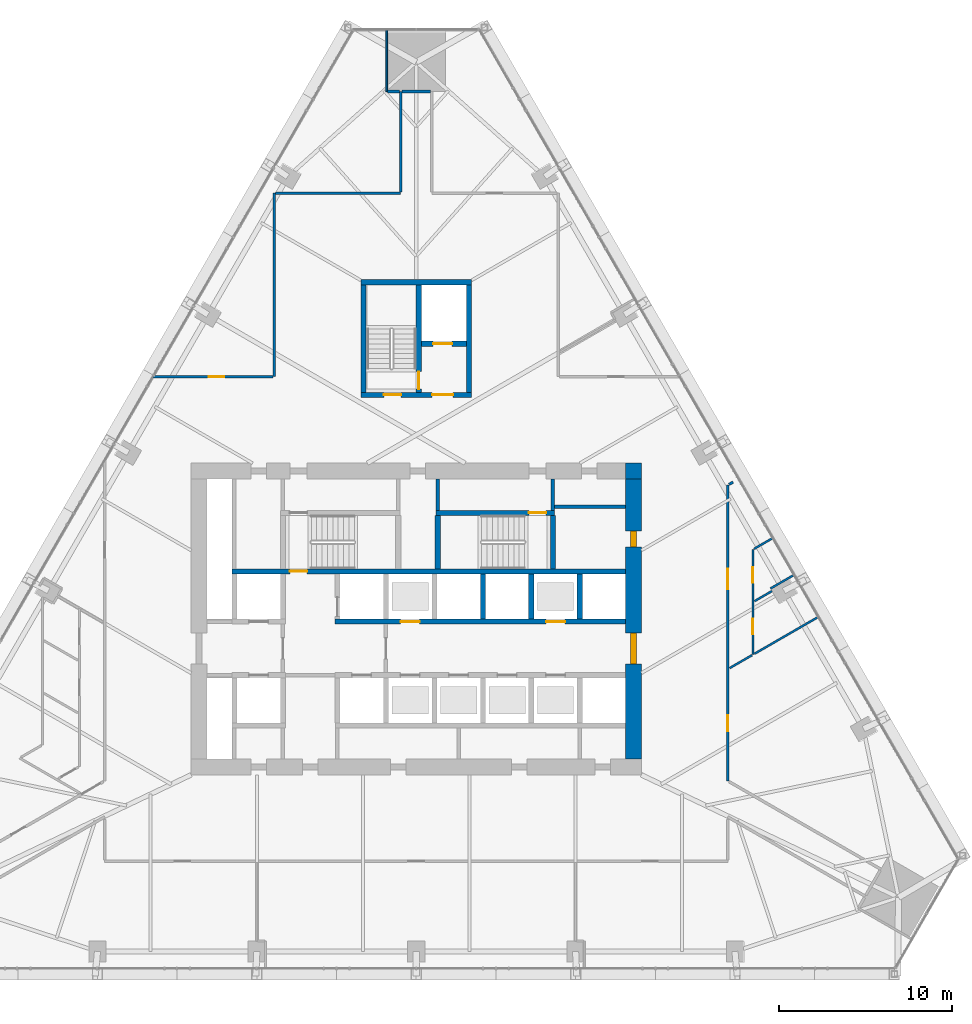
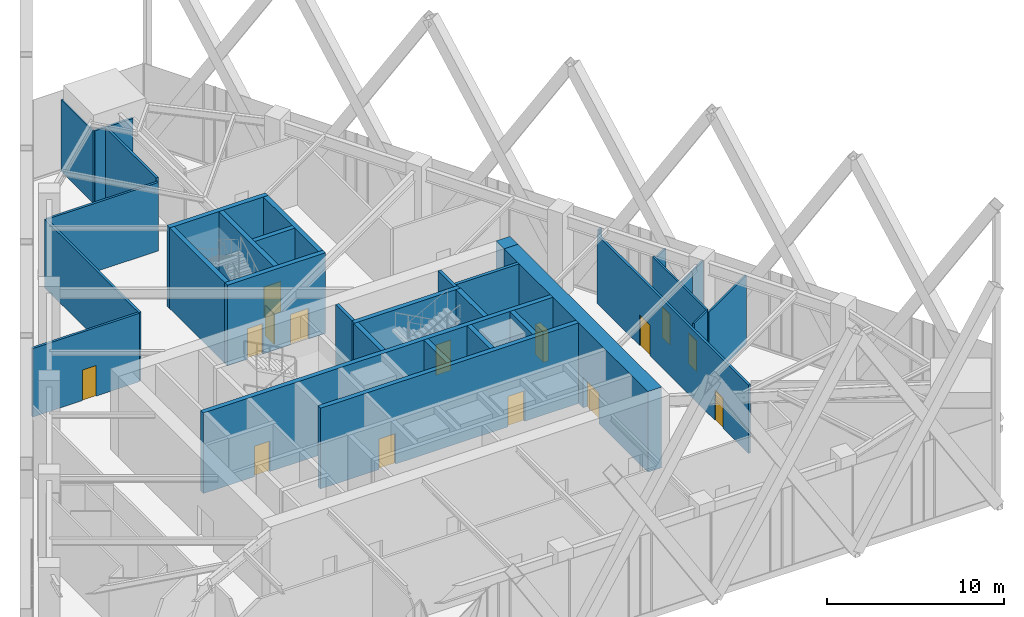
# One storey, part 17 of 21: 34 walls, 15 doors, 15 openings.
"""IFC4 building model written with IfcOpenShell, lengths in metres."""

from ifc_helpers import new_model, si_unit, direction, frame, frame_2d, origin, place, context, subcontext, project, spatial, rectangle, extrude, material, layer, layer_set, type_object, element, fill, save


model = new_model("IFC4")

# Units and contexts
model_context = context("Model", 3, precision=1e-05, world=origin(), true_north=direction((0.0, 1.0)))
body_context = subcontext(model_context, "Body", "Model", "MODEL_VIEW")
ifc_project = project(units=[si_unit("LENGTHUNIT", "METRE"), si_unit("AREAUNIT", "SQUARE_METRE"), si_unit("VOLUMEUNIT", "CUBIC_METRE"), si_unit("PLANEANGLEUNIT", "RADIAN"), si_unit("MASSUNIT", "GRAM", prefix="KILO")], contexts=[model_context])

# Site, building, storey
site_placement = place(None, origin())
site = spatial("IfcSite", under=ifc_project, at=site_placement, CompositionType="ELEMENT")
building_placement = place(site_placement, origin())
building = spatial("IfcBuilding", under=site, at=building_placement, Name="Firuza Gate Tower and Library", CompositionType="ELEMENT")
storey_placement = place(building_placement, frame((0.0, 0.0, 140.800048828125)))
storey = spatial("IfcBuildingStorey", under=building, at=storey_placement, Name="L32", CompositionType="ELEMENT", Elevation=140.800048828125)

# Walls
ifc_material_1 = material(Name="Plasterboard on steel studs", Category="steel")
ifc_layer_1 = layer(ifc_material_1, 0.199951171875)
ifc_layer_set_1 = layer_set([ifc_layer_1], Name="Core partition 200 EI 120")
wall_type_1 = type_object("IfcWallType", Name="Core partition 200 EI 120", PredefinedType="PARTITIONING", material=ifc_layer_set_1)
wall_1_placement = place(storey_placement, frame((83.0, 81.4951171875, 0.0), z_axis=(0.0, 0.0, 1.0), x_axis=(1.0, 0.0, 0.0)))
element("IfcWall", 1, at=wall_1_placement, inside=storey, type_object=wall_type_1, Name="Core partition L32 4", PredefinedType="PARTITIONING", context=body_context, shape_type="SweptSolid", body=[
    extrude(rectangle(XDim=4.10009765625, YDim=0.199951171875, at=frame_2d((2.050048828125, 0.0))), origin(), (0.0, 0.0, 1.0), 5.550048828125),
])
wall_2_placement = place(storey_placement, frame((82.89990234375, 81.280029296875, 0.0), z_axis=(0.0, 0.0, 1.0), x_axis=(0.0, 1.0, 0.0)))
element("IfcWall", 2, at=wall_2_placement, inside=storey, type_object=wall_type_1, Name="Core partition L32 15", PredefinedType="PARTITIONING", context=body_context, shape_type="SweptSolid", body=[
    extrude(rectangle(XDim=1.820068359375, YDim=0.199951171875, at=frame_2d((0.91015625, 0.0))), origin(), (0.0, 0.0, 1.0), 5.550048828125),
])
ifc_material_2 = material(Name="Plasterboard on steel studs", Category="steel")
ifc_layer_2 = layer(ifc_material_2, 0.199951171875)
ifc_layer_set_2 = layer_set([ifc_layer_2], Name="Core partition 200 EI 60")
wall_type_2 = type_object("IfcWallType", Name="Core partition 200 EI 60", PredefinedType="PARTITIONING", material=ifc_layer_set_2)
wall_3_placement = place(storey_placement, frame((76.239990234375, 81.280029296875, 0.0), z_axis=(0.0, 0.0, 1.0), x_axis=(0.0, 1.0, 0.0)))
element("IfcWall", 3, at=wall_3_placement, inside=storey, type_object=wall_type_2, Name="Core partition L32 13", PredefinedType="PARTITIONING", context=body_context, shape_type="SweptSolid", body=[
    extrude(rectangle(XDim=1.820068359375, YDim=0.199951171875, at=frame_2d((0.91015625, 0.0))), origin(), (0.0, 0.0, 1.0), 5.550048828125),
])

# Wall, openings, doors
ifc_material_3 = material(Name="Concrete C80/95", Category="concrete")
ifc_layer_3 = layer(ifc_material_3, 0.300048828125)
ifc_layer_set_3 = layer_set([ifc_layer_3], Name="Core wall 300 C80/95")
wall_type_3 = type_object("IfcWallType", Name="Core wall 300 C80/95", PredefinedType="SHEAR", material=ifc_layer_set_3)
wall_4_placement = place(storey_placement, frame((70.300048828125, 74.85009765625, 0.0), z_axis=(0.0, 0.0, 1.0), x_axis=(1.0, 0.0, 0.0)))
wall_4 = element("IfcWall", 4, at=wall_4_placement, inside=storey, type_object=wall_type_3, Name="Core wall L32 10", PredefinedType="SHEAR", context=body_context, shape_type="SweptSolid", body=[
    extrude(rectangle(XDim=16.800048828125, YDim=0.300048828125, at=frame_2d((8.39990234375, 0.0))), origin(), (0.0, 0.0, 1.0), 5.550048828125),
])
opening_1_placement = place(wall_4_placement, frame((3.800048828125, 0.0, 0.0)))
opening_1 = element("IfcOpeningElement", 5, at=opening_1_placement, cuts=wall_4, Name="Opening LD-MR4-L32", PredefinedType="OPENING", context=body_context, shape_type="SweptSolid", body=[
    extrude(rectangle(XDim=1.10009765625, YDim=2.10009765625, at=frame_2d((0.550048828125, 1.050048828125))), frame((0.0, 0.16015625, 0.0), z_axis=(0.0, -1.0, 0.0), x_axis=(1.0, 0.0, 0.0)), (0.0, 0.0, 1.0), 0.320068359375),
])
opening_2_placement = place(wall_4_placement, frame((12.199951171875, 0.0, 0.0)))
opening_2 = element("IfcOpeningElement", 6, at=opening_2_placement, cuts=wall_4, Name="Opening LD-MR6-L32", PredefinedType="OPENING", context=body_context, shape_type="SweptSolid", body=[
    extrude(rectangle(XDim=1.10009765625, YDim=2.10009765625, at=frame_2d((0.550048828125, 1.050048828125))), frame((0.0, 0.16015625, 0.0), z_axis=(0.0, -1.0, 0.0), x_axis=(1.0, 0.0, 0.0)), (0.0, 0.0, 1.0), 0.320068359375),
])
ifc_material_4 = material(Name="Stainless steel", Category="steel")
door_type_1 = type_object("IfcDoorType", Name="Lift landing door 1100x2100", OperationType="DOUBLE_DOOR_SLIDING", PredefinedType="DOOR", material=ifc_material_4)
door_1_placement = place(opening_1_placement, origin())
door_1 = element("IfcDoor", 7, at=door_1_placement, inside=storey, type_object=door_type_1, Name="Landing door MR4 L32", OperationType="DOUBLE_DOOR_SLIDING", OverallHeight=2.10009765625, OverallWidth=1.10009765625, PredefinedType="DOOR", context=body_context, shape_type="SweptSolid", body=[
    extrude(rectangle(XDim=1.10009765625, YDim=2.10009765625, at=frame_2d((0.550048828125, 1.050048828125))), frame((0.0, 0.02490234375, 0.0), z_axis=(0.0, -1.0, 0.0), x_axis=(1.0, 0.0, 0.0)), (0.0, 0.0, 1.0), 0.050048828125),
])
fill(opening_1, door_1)
door_2_placement = place(opening_2_placement, origin())
door_2 = element("IfcDoor", 8, at=door_2_placement, inside=storey, type_object=door_type_1, Name="Landing door MR6 L32", OperationType="DOUBLE_DOOR_SLIDING", OverallHeight=2.10009765625, OverallWidth=1.10009765625, PredefinedType="DOOR", context=body_context, shape_type="SweptSolid", body=[
    extrude(rectangle(XDim=1.10009765625, YDim=2.10009765625, at=frame_2d((0.550048828125, 1.050048828125))), frame((0.0, 0.02490234375, 0.0), z_axis=(0.0, -1.0, 0.0), x_axis=(1.0, 0.0, 0.0)), (0.0, 0.0, 1.0), 0.050048828125),
])
fill(opening_2, door_2)

# Walls
for number, where, z_axis, x_axis, name in (
    (9, (78.85009765625, 75.0, 0.0), (0.0, 0.0, 1.0), (0.0, 1.0, 0.0), "Core wall L32 22"),
    (10, (81.64990234375, 75.0, 0.0), (0.0, 0.0, 1.0), (0.0, 1.0, 0.0), "Core wall L32 24"),
    (11, (84.449951171875, 75.0, 0.0), (0.0, 0.0, 1.0), (0.0, 1.0, 0.0), "Core wall L32 26"),
):
    element("IfcWall", number, at=place(storey_placement, frame(where, z_axis=z_axis, x_axis=x_axis)), inside=storey, type_object=wall_type_3, Name=name, PredefinedType="SHEAR", context=body_context, shape_type="SweptSolid", body=[
        extrude(rectangle(XDim=2.60009765625, YDim=0.300048828125, at=frame_2d((1.300048828125, 0.0))), origin(), (0.0, 0.0, 1.0), 5.550048828125),
    ])

# Wall, opening, door
wall_5_placement = place(storey_placement, frame((64.35009765625, 77.75, 0.0), z_axis=(0.0, 0.0, 1.0), x_axis=(1.0, 0.0, 0.0)))
wall_5 = element("IfcWall", 12, at=wall_5_placement, inside=storey, type_object=wall_type_3, Name="Core wall L32 27", PredefinedType="SHEAR", context=body_context, shape_type="SweptSolid", body=[
    extrude(rectangle(XDim=22.75, YDim=0.300048828125, at=frame_2d((11.375, 0.0))), origin(), (0.0, 0.0, 1.0), 5.550048828125),
])
opening_3_placement = place(wall_5_placement, frame((3.344970703125, 0.0, 0.0)))
opening_3 = element("IfcOpeningElement", 13, at=opening_3_placement, cuts=wall_5, Name="Opening L32-K12", PredefinedType="OPENING", context=body_context, shape_type="SweptSolid", body=[
    extrude(rectangle(XDim=1.0, YDim=2.10009765625, at=frame_2d((0.5, 1.050048828125))), frame((0.0, 0.16015625, 0.0), z_axis=(0.0, -1.0, 0.0), x_axis=(1.0, 0.0, 0.0)), (0.0, 0.0, 1.0), 0.320068359375),
])
ifc_material_5 = material(Name="Steel", Category="steel")
door_type_2 = type_object("IfcDoorType", Name="Fire door 1000x2100 FD90", OperationType="NOTDEFINED", PredefinedType="DOOR", material=ifc_material_5)
door_3_placement = place(opening_3_placement, origin())
door_3 = element("IfcDoor", 14, at=door_3_placement, inside=storey, type_object=door_type_2, Name="Door L32-K12", OperationType="SINGLE_SWING_LEFT", OverallHeight=2.10009765625, OverallWidth=1.0, PredefinedType="DOOR", context=body_context, shape_type="SweptSolid", body=[
    extrude(rectangle(XDim=1.0, YDim=2.10009765625, at=frame_2d((0.5, 1.050048828125))), frame((0.0, 0.02490234375, 0.0), z_axis=(0.0, -1.0, 0.0), x_axis=(1.0, 0.0, 0.0)), (0.0, 0.0, 1.0), 0.050048828125),
])
fill(opening_3, door_3)

wall_6_placement = place(storey_placement, frame((76.139892578125, 81.1298828125, 0.0), z_axis=(0.0, 0.0, 1.0), x_axis=(1.0, 0.0, 0.0)))
wall_6 = element("IfcWall", 15, at=wall_6_placement, inside=storey, type_object=wall_type_3, Name="Core wall L32 29", PredefinedType="SHEAR", context=body_context, shape_type="SweptSolid", body=[
    extrude(rectangle(XDim=6.860107421875, YDim=0.300048828125, at=frame_2d((3.43017578125, 0.0))), origin(), (0.0, 0.0, 1.0), 5.550048828125),
])
opening_4_placement = place(wall_6_placement, frame((5.364990234375, 0.0, 0.0)))
opening_4 = element("IfcOpeningElement", 16, at=opening_4_placement, cuts=wall_6, Name="Opening L32-K15", PredefinedType="OPENING", context=body_context, shape_type="SweptSolid", body=[
    extrude(rectangle(XDim=1.0, YDim=2.10009765625, at=frame_2d((0.5, 1.050048828125))), frame((0.0, 0.16015625, 0.0), z_axis=(0.0, -1.0, 0.0), x_axis=(1.0, 0.0, 0.0)), (0.0, 0.0, 1.0), 0.320068359375),
])
door_4_placement = place(opening_4_placement, origin())
door_4 = element("IfcDoor", 17, at=door_4_placement, inside=storey, type_object=door_type_2, Name="Door L32-K15", OperationType="SINGLE_SWING_RIGHT", OverallHeight=2.10009765625, OverallWidth=1.0, PredefinedType="DOOR", context=body_context, shape_type="SweptSolid", body=[
    extrude(rectangle(XDim=1.0, YDim=2.10009765625, at=frame_2d((0.5, 1.050048828125))), frame((0.0, 0.02490234375, 0.0), z_axis=(0.0, -1.0, 0.0), x_axis=(1.0, 0.0, 0.0)), (0.0, 0.0, 1.0), 0.050048828125),
])
fill(opening_4, door_4)

# Walls
for number, where, z_axis, x_axis, name in (
    (18, (76.239990234375, 77.89990234375, 0.0), (0.0, 0.0, 1.0), (0.0, 1.0, 0.0), "Core wall L32 32"),
    (19, (82.89990234375, 77.89990234375, 0.0), (0.0, 0.0, 1.0), (0.0, 1.0, 0.0), "Core wall L32 33"),
):
    element("IfcWall", number, at=place(storey_placement, frame(where, z_axis=z_axis, x_axis=x_axis)), inside=storey, type_object=wall_type_3, Name=name, PredefinedType="SHEAR", context=body_context, shape_type="SweptSolid", body=[
        extrude(rectangle(XDim=3.080078125, YDim=0.300048828125, at=frame_2d((1.5400390625, 0.0))), origin(), (0.0, 0.0, 1.0), 5.550048828125),
    ])

# Wall, openings, doors
wall_7_placement = place(storey_placement, frame((71.800048828125, 87.949951171875, 0.0), z_axis=(0.0, 0.0, 1.0), x_axis=(1.0, 0.0, 0.0)))
wall_7 = element("IfcWall", 20, at=wall_7_placement, inside=storey, type_object=wall_type_3, Name="Core wall L32 34", PredefinedType="SHEAR", context=body_context, shape_type="SweptSolid", body=[
    extrude(rectangle(XDim=6.39990234375, YDim=0.300048828125, at=frame_2d((3.199951171875, 0.0))), origin(), (0.0, 0.0, 1.0), 5.550048828125),
])
opening_5_placement = place(wall_7_placement, frame((1.324951171875, 0.0, 0.0)))
opening_5 = element("IfcOpeningElement", 21, at=opening_5_placement, cuts=wall_7, Name="Opening L32-K17", PredefinedType="OPENING", context=body_context, shape_type="SweptSolid", body=[
    extrude(rectangle(XDim=1.0, YDim=2.10009765625, at=frame_2d((0.5, 1.050048828125))), frame((0.0, 0.16015625, 0.0), z_axis=(0.0, -1.0, 0.0), x_axis=(1.0, 0.0, 0.0)), (0.0, 0.0, 1.0), 0.320068359375),
])
opening_6_placement = place(wall_7_placement, frame((4.125, 0.0, 0.0)))
opening_6 = element("IfcOpeningElement", 22, at=opening_6_placement, cuts=wall_7, Name="Opening L32-K19", PredefinedType="OPENING", context=body_context, shape_type="SweptSolid", body=[
    extrude(rectangle(XDim=1.199951171875, YDim=2.10009765625, at=frame_2d((0.60009765625, 1.050048828125))), frame((0.0, 0.16015625, 0.0), z_axis=(0.0, -1.0, 0.0), x_axis=(1.0, 0.0, 0.0)), (0.0, 0.0, 1.0), 0.320068359375),
])
door_5_placement = place(opening_5_placement, origin())
door_5 = element("IfcDoor", 23, at=door_5_placement, inside=storey, type_object=door_type_2, Name="Door L32-K17", OperationType="SINGLE_SWING_RIGHT", OverallHeight=2.10009765625, OverallWidth=1.0, PredefinedType="DOOR", context=body_context, shape_type="SweptSolid", body=[
    extrude(rectangle(XDim=1.0, YDim=2.10009765625, at=frame_2d((0.5, 1.050048828125))), frame((0.0, 0.02490234375, 0.0), z_axis=(0.0, -1.0, 0.0), x_axis=(1.0, 0.0, 0.0)), (0.0, 0.0, 1.0), 0.050048828125),
])
fill(opening_5, door_5)
ifc_material_6 = material(Name="Steel", Category="steel")
door_type_3 = type_object("IfcDoorType", Name="Fire door 1200x2100 FD30S", OperationType="NOTDEFINED", PredefinedType="DOOR", material=ifc_material_6)
door_6_placement = place(opening_6_placement, origin())
door_6 = element("IfcDoor", 24, at=door_6_placement, inside=storey, type_object=door_type_3, Name="Door L32-K19", OperationType="SINGLE_SWING_RIGHT", OverallHeight=2.10009765625, OverallWidth=1.199951171875, PredefinedType="DOOR", context=body_context, shape_type="SweptSolid", body=[
    extrude(rectangle(XDim=1.199951171875, YDim=2.10009765625, at=frame_2d((0.60009765625, 1.050048828125))), frame((0.0, 0.02490234375, 0.0), z_axis=(0.0, -1.0, 0.0), x_axis=(1.0, 0.0, 0.0)), (0.0, 0.0, 1.0), 0.050048828125),
])
fill(opening_6, door_6)

# Walls
wall_8_placement = place(storey_placement, frame((71.800048828125, 94.449951171875, 0.0), z_axis=(0.0, 0.0, 1.0), x_axis=(1.0, 0.0, 0.0)))
element("IfcWall", 25, at=wall_8_placement, inside=storey, type_object=wall_type_3, Name="Core wall L32 35", PredefinedType="SHEAR", context=body_context, shape_type="SweptSolid", body=[
    extrude(rectangle(XDim=6.39990234375, YDim=0.300048828125, at=frame_2d((3.199951171875, 0.0))), origin(), (0.0, 0.0, 1.0), 5.550048828125),
])
for number, where, z_axis, x_axis, name in (
    (26, (71.949951171875, 88.10009765625, 0.0), (0.0, 0.0, 1.0), (0.0, 1.0, 0.0), "Core wall L32 36"),
    (27, (78.050048828125, 88.10009765625, 0.0), (0.0, 0.0, 1.0), (0.0, 1.0, 0.0), "Core wall L32 37"),
):
    element("IfcWall", number, at=place(storey_placement, frame(where, z_axis=z_axis, x_axis=x_axis)), inside=storey, type_object=wall_type_3, Name=name, PredefinedType="SHEAR", context=body_context, shape_type="SweptSolid", body=[
        extrude(rectangle(XDim=6.199951171875, YDim=0.300048828125, at=frame_2d((3.10009765625, 0.0))), origin(), (0.0, 0.0, 1.0), 5.550048828125),
    ])

# Wall, opening, door
wall_9_placement = place(storey_placement, frame((75.300048828125, 90.89990234375, 0.0), z_axis=(0.0, 0.0, 1.0), x_axis=(1.0, 0.0, 0.0)))
wall_9 = element("IfcWall", 28, at=wall_9_placement, inside=storey, type_object=wall_type_3, Name="Core wall L32 38", PredefinedType="SHEAR", context=body_context, shape_type="SweptSolid", body=[
    extrude(rectangle(XDim=2.599853515625, YDim=0.300048828125, at=frame_2d((1.2998046875, 0.0))), origin(), (0.0, 0.0, 1.0), 5.550048828125),
])
opening_7_placement = place(wall_9_placement, frame((0.675048828125, 0.0, 0.0)))
opening_7 = element("IfcOpeningElement", 29, at=opening_7_placement, cuts=wall_9, Name="Opening LD-SV1-L32", PredefinedType="OPENING", context=body_context, shape_type="SweptSolid", body=[
    extrude(rectangle(XDim=1.10009765625, YDim=2.10009765625, at=frame_2d((0.550048828125, 1.050048828125))), frame((0.0, 0.16015625, 0.0), z_axis=(0.0, -1.0, 0.0), x_axis=(1.0, 0.0, 0.0)), (0.0, 0.0, 1.0), 0.320068359375),
])
door_7_placement = place(opening_7_placement, origin())
door_7 = element("IfcDoor", 30, at=door_7_placement, inside=storey, type_object=door_type_1, Name="Landing door SV1 L32", OperationType="DOUBLE_DOOR_SLIDING", OverallHeight=2.10009765625, OverallWidth=1.10009765625, PredefinedType="DOOR", context=body_context, shape_type="SweptSolid", body=[
    extrude(rectangle(XDim=1.10009765625, YDim=2.10009765625, at=frame_2d((0.550048828125, 1.050048828125))), frame((0.0, 0.02490234375, 0.0), z_axis=(0.0, -1.0, 0.0), x_axis=(1.0, 0.0, 0.0)), (0.0, 0.0, 1.0), 0.050048828125),
])
fill(opening_7, door_7)

wall_10_placement = place(storey_placement, frame((75.14990234375, 88.10009765625, 0.0), z_axis=(0.0, 0.0, 1.0), x_axis=(0.0, 1.0, 0.0)))
wall_10 = element("IfcWall", 31, at=wall_10_placement, inside=storey, type_object=wall_type_3, Name="Core wall L32 39", PredefinedType="SHEAR", context=body_context, shape_type="SweptSolid", body=[
    extrude(rectangle(XDim=6.199951171875, YDim=0.300048828125, at=frame_2d((3.10009765625, 0.0))), origin(), (0.0, 0.0, 1.0), 5.550048828125),
])
opening_8_placement = place(wall_10_placement, frame((0.18505859375, 0.0, 0.0)))
opening_8 = element("IfcOpeningElement", 32, at=opening_8_placement, cuts=wall_10, Name="Opening L32-K18", PredefinedType="OPENING", context=body_context, shape_type="SweptSolid", body=[
    extrude(rectangle(XDim=1.0, YDim=2.10009765625, at=frame_2d((0.5, 1.050048828125))), frame((0.0, 0.16015625, 0.0), z_axis=(0.0, -1.0, 0.0), x_axis=(1.0, 0.0, 0.0)), (0.0, 0.0, 1.0), 0.320068359375),
])
door_8_placement = place(opening_8_placement, origin())
door_8 = element("IfcDoor", 33, at=door_8_placement, inside=storey, type_object=door_type_2, Name="Door L32-K18", OperationType="SINGLE_SWING_LEFT", OverallHeight=2.10009765625, OverallWidth=1.0, PredefinedType="DOOR", context=body_context, shape_type="SweptSolid", body=[
    extrude(rectangle(XDim=1.0, YDim=2.10009765625, at=frame_2d((0.5, 1.050048828125))), frame((0.0, 0.02490234375, 0.0), z_axis=(0.0, -1.0, 0.0), x_axis=(1.0, 0.0, 0.0)), (0.0, 0.0, 1.0), 0.050048828125),
])
fill(opening_8, door_8)

# Wall, openings, doors
ifc_material_7 = material(Name="Concrete C80/95", Category="concrete")
ifc_layer_4 = layer(ifc_material_7, 0.89990234375)
ifc_layer_set_4 = layer_set([ifc_layer_4], Name="Core wall 900 C80/95")
wall_type_4 = type_object("IfcWallType", Name="Core wall 900 C80/95", PredefinedType="SHEAR", material=ifc_layer_set_4)
wall_11_placement = place(storey_placement, frame((87.550048828125, 66.89990234375, 0.0), z_axis=(0.0, 0.0, 1.0), x_axis=(0.0, 1.0, 0.0)))
wall_11 = element("IfcWall", 34, at=wall_11_placement, inside=storey, type_object=wall_type_4, Name="Core wall L32 4", PredefinedType="SHEAR", context=body_context, shape_type="SweptSolid", body=[
    extrude(rectangle(XDim=16.2001953125, YDim=0.89990234375, at=frame_2d((8.10009765625, 0.0))), origin(), (0.0, 0.0, 1.0), 5.550048828125),
])
opening_9_placement = place(wall_11_placement, frame((5.5, 0.0, 0.0)))
opening_9 = element("IfcOpeningElement", 35, at=opening_9_placement, cuts=wall_11, Name="Opening L32-K23", PredefinedType="OPENING", context=body_context, shape_type="SweptSolid", body=[
    extrude(rectangle(XDim=1.800048828125, YDim=2.10009765625, at=frame_2d((0.89990234375, 1.050048828125))), frame((0.0, 0.4599609375, 0.0), z_axis=(0.0, -1.0, 0.0), x_axis=(1.0, 0.0, 0.0)), (0.0, 0.0, 1.0), 0.919921875),
])
opening_10_placement = place(wall_11_placement, frame((12.2724609375, 0.0, 0.0)))
opening_10 = element("IfcOpeningElement", 36, at=opening_10_placement, cuts=wall_11, Name="Opening L32-K31", PredefinedType="OPENING", context=body_context, shape_type="SweptSolid", body=[
    extrude(rectangle(XDim=0.89990234375, YDim=2.10009765625, at=frame_2d((0.449951171875, 1.050048828125))), frame((0.0, 0.4599609375, 0.0), z_axis=(0.0, -1.0, 0.0), x_axis=(1.0, 0.0, 0.0)), (0.0, 0.0, 1.0), 0.919921875),
])
ifc_material_8 = material(Name="Steel", Category="steel")
door_type_4 = type_object("IfcDoorType", Name="Fire door 1800x2100 FD30S", OperationType="NOTDEFINED", PredefinedType="DOOR", material=ifc_material_8)
door_9_placement = place(opening_9_placement, origin())
door_9 = element("IfcDoor", 37, at=door_9_placement, inside=storey, type_object=door_type_4, Name="Door L32-K23", OperationType="SINGLE_SWING_RIGHT", OverallHeight=2.10009765625, OverallWidth=1.800048828125, PredefinedType="DOOR", context=body_context, shape_type="SweptSolid", body=[
    extrude(rectangle(XDim=1.800048828125, YDim=2.10009765625, at=frame_2d((0.89990234375, 1.050048828125))), frame((0.0, 0.169921875, 0.0), z_axis=(0.0, -1.0, 0.0), x_axis=(1.0, 0.0, 0.0)), (0.0, 0.0, 1.0), 0.33984375),
])
fill(opening_9, door_9)
ifc_material_9 = material(Name="Steel", Category="steel")
door_type_5 = type_object("IfcDoorType", Name="Fire door 900x2100 FD30S", OperationType="NOTDEFINED", PredefinedType="DOOR", material=ifc_material_9)
door_10_placement = place(opening_10_placement, origin())
door_10 = element("IfcDoor", 38, at=door_10_placement, inside=storey, type_object=door_type_5, Name="Door L32-K31", OperationType="SINGLE_SWING_RIGHT", OverallHeight=2.10009765625, OverallWidth=0.89990234375, PredefinedType="DOOR", context=body_context, shape_type="SweptSolid", body=[
    extrude(rectangle(XDim=0.89990234375, YDim=2.10009765625, at=frame_2d((0.449951171875, 1.050048828125))), frame((0.0, 0.169921875, 0.0), z_axis=(0.0, -1.0, 0.0), x_axis=(1.0, 0.0, 0.0)), (0.0, 0.0, 1.0), 0.33984375),
])
fill(opening_10, door_10)

# Wall
wall_12_placement = place(storey_placement, frame((87.10009765625, 83.550048828125, 0.0), z_axis=(0.0, 0.0, 1.0), x_axis=(1.0, 0.0, 0.0)))
element("IfcWall", 39, at=wall_12_placement, inside=storey, type_object=wall_type_4, Name="Core wall L32 40", PredefinedType="SHEAR", context=body_context, shape_type="SweptSolid", body=[
    extrude(rectangle(XDim=0.89990234375, YDim=0.89990234375, at=frame_2d((0.449951171875, 0.0))), origin(), (0.0, 0.0, 1.0), 5.550048828125),
])

# Wall, opening, door
ifc_material_10 = material(Name="Gypsum board partition")
ifc_layer_5 = layer(ifc_material_10, 0.14990234375)
ifc_layer_set_5 = layer_set([ifc_layer_5], Name="Corridor wall 150 double board on steel studs")
wall_type_5 = type_object("IfcWallType", Name="Corridor wall 150 double board on steel studs", PredefinedType="PARTITIONING", material=ifc_layer_set_5)
wall_13_placement = place(storey_placement, frame((59.7998046875, 88.99951171875, 0.0), z_axis=(0.0, 0.0, 1.0), x_axis=(1.0, 0.0, 0.0)))
wall_13 = element("IfcWall", 40, at=wall_13_placement, inside=storey, type_object=wall_type_5, Name="f:L32:w003", PredefinedType="PARTITIONING", context=body_context, shape_type="SweptSolid", body=[
    extrude(rectangle(XDim=6.92529296875, YDim=0.14990234375, at=frame_2d((3.462646484375, 0.0))), origin(), (0.0, 0.0, 1.0), 4.71484375),
])
opening_11_placement = place(wall_13_placement, frame((3.220458984375, 0.0, 0.0)))
opening_11 = element("IfcOpeningElement", 41, at=opening_11_placement, cuts=wall_13, Name="Opening L32-04", PredefinedType="OPENING", context=body_context, shape_type="SweptSolid", body=[
    extrude(rectangle(XDim=0.89990234375, YDim=2.10009765625, at=frame_2d((0.449951171875, 1.050048828125))), frame((0.0, 0.0849609375, 0.0), z_axis=(0.0, -1.0, 0.0), x_axis=(1.0, 0.0, 0.0)), (0.0, 0.0, 1.0), 0.169921875),
])
ifc_material_11 = material(Name="Steel door and timber leaf", Category="steel")
door_type_6 = type_object("IfcDoorType", Name="Fire door 900 x 2100 steel frame, timber leaf", OperationType="NOTDEFINED", PredefinedType="DOOR", material=ifc_material_11)
door_11_placement = place(opening_11_placement, origin())
door_11 = element("IfcDoor", 42, at=door_11_placement, inside=storey, type_object=door_type_6, Name="f:L32:d004", OperationType="SINGLE_SWING_RIGHT", OverallHeight=2.10009765625, OverallWidth=0.89990234375, PredefinedType="DOOR", context=body_context, shape_type="SweptSolid", body=[
    extrude(rectangle(XDim=0.89990234375, YDim=2.10009765625, at=frame_2d((0.449951171875, 1.050048828125))), frame((0.0, 0.02490234375, 0.0), z_axis=(0.0, -1.0, 0.0), x_axis=(1.0, 0.0, 0.0)), (0.0, 0.0, 1.0), 0.050048828125),
])
fill(opening_11, door_11)

# Walls
wall_14_placement = place(storey_placement, frame((66.87548828125, 99.60009765625, 0.0), z_axis=(0.0, 0.0, 1.0), x_axis=(1.0, 0.0, 0.0)))
element("IfcWall", 43, at=wall_14_placement, inside=storey, type_object=wall_type_5, Name="f:L32:w005", PredefinedType="PARTITIONING", context=body_context, shape_type="SweptSolid", body=[
    extrude(rectangle(XDim=7.224609375, YDim=0.14990234375, at=frame_2d((3.6123046875, 0.0))), origin(), (0.0, 0.0, 1.0), 4.71484375),
])
wall_15_placement = place(storey_placement, frame((73.3505859375, 105.471923828125, 0.0), z_axis=(0.0, 0.0, 1.0), x_axis=(1.0, 0.0, 0.0)))
element("IfcWall", 44, at=wall_15_placement, inside=storey, type_object=wall_type_5, Name="f:L32:w007", PredefinedType="PARTITIONING", context=body_context, shape_type="SweptSolid", body=[
    extrude(rectangle(XDim=0.67431640625, YDim=0.14990234375, at=frame_2d((0.337158203125, 0.0))), origin(), (0.0, 0.0, 1.0), 4.949951171875),
])
wall_16_placement = place(storey_placement, frame((93.0751953125, 82.777587890625, 0.0), z_axis=(0.0, 0.0, 1.0), x_axis=(0.865874074141, 0.500262019077, 0.0)))
element("IfcWall", 45, at=wall_16_placement, inside=storey, type_object=wall_type_5, Name="f:L32:w012", PredefinedType="PARTITIONING", context=body_context, shape_type="SweptSolid", body=[
    extrude(rectangle(XDim=0.260986328125, YDim=0.14990234375, at=frame_2d((0.13037109375, 0.0))), origin(), (0.0, 0.0, 1.0), 4.949951171875),
])

# Wall, openings, doors
wall_17_placement = place(storey_placement, frame((93.0, 82.734619140625, 0.0), z_axis=(0.0, 0.0, 1.0), x_axis=(0.0, -1.0, 0.0)))
wall_17 = element("IfcWall", 46, at=wall_17_placement, inside=storey, type_object=wall_type_5, Name="f:L32:w025", PredefinedType="PARTITIONING", context=body_context, shape_type="SweptSolid", body=[
    extrude(rectangle(XDim=17.087646484375, YDim=0.14990234375, at=frame_2d((8.5439453125, 0.0))), origin(), (0.0, 0.0, 1.0), 4.71484375),
])
opening_12_placement = place(wall_17_placement, frame((4.81689453125, 0.0, 0.0)))
opening_12 = element("IfcOpeningElement", 47, at=opening_12_placement, cuts=wall_17, Name="Opening L32-12", PredefinedType="OPENING", context=body_context, shape_type="SweptSolid", body=[
    extrude(rectangle(XDim=1.199951171875, YDim=2.10009765625, at=frame_2d((0.60009765625, 1.050048828125))), frame((0.0, 0.0849609375, 0.0), z_axis=(0.0, -1.0, 0.0), x_axis=(1.0, 0.0, 0.0)), (0.0, 0.0, 1.0), 0.169921875),
])
opening_13_placement = place(wall_17_placement, frame((13.3076171875, 0.0, 0.0)))
opening_13 = element("IfcOpeningElement", 48, at=opening_13_placement, cuts=wall_17, Name="Opening L32-13", PredefinedType="OPENING", context=body_context, shape_type="SweptSolid", body=[
    extrude(rectangle(XDim=0.89990234375, YDim=2.10009765625, at=frame_2d((0.449951171875, 1.050048828125))), frame((0.0, 0.0849609375, 0.0), z_axis=(0.0, -1.0, 0.0), x_axis=(1.0, 0.0, 0.0)), (0.0, 0.0, 1.0), 0.169921875),
])
ifc_material_12 = material(Name="Steel door and timber leaf", Category="steel")
door_type_7 = type_object("IfcDoorType", Name="Fire door 1200 x 2100 steel frame, double leaf", OperationType="NOTDEFINED", PredefinedType="DOOR", material=ifc_material_12)
door_12_placement = place(opening_12_placement, origin())
door_12 = element("IfcDoor", 49, at=door_12_placement, inside=storey, type_object=door_type_7, Name="f:L32:d012", OperationType="DOUBLE_DOOR_SINGLE_SWING", OverallHeight=2.10009765625, OverallWidth=1.199951171875, PredefinedType="DOOR", context=body_context, shape_type="SweptSolid", body=[
    extrude(rectangle(XDim=1.199951171875, YDim=2.10009765625, at=frame_2d((0.60009765625, 1.050048828125))), frame((0.0, 0.02490234375, 0.0), z_axis=(0.0, -1.0, 0.0), x_axis=(1.0, 0.0, 0.0)), (0.0, 0.0, 1.0), 0.050048828125),
])
fill(opening_12, door_12)
door_13_placement = place(opening_13_placement, origin())
door_13 = element("IfcDoor", 50, at=door_13_placement, inside=storey, type_object=door_type_6, Name="f:L32:d013", OperationType="SINGLE_SWING_LEFT", OverallHeight=2.10009765625, OverallWidth=0.89990234375, PredefinedType="DOOR", context=body_context, shape_type="SweptSolid", body=[
    extrude(rectangle(XDim=0.89990234375, YDim=2.10009765625, at=frame_2d((0.449951171875, 1.050048828125))), frame((0.0, 0.02490234375, 0.0), z_axis=(0.0, -1.0, 0.0), x_axis=(1.0, 0.0, 0.0)), (0.0, 0.0, 1.0), 0.050048828125),
])
fill(opening_13, door_13)

# Walls
wall_18_placement = place(storey_placement, frame((74.10009765625, 99.675048828125, 0.0), z_axis=(0.0, 0.0, 1.0), x_axis=(0.0, 1.0, 0.0)))
element("IfcWall", 51, at=wall_18_placement, inside=storey, type_object=wall_type_5, Name="f:L32:w030", PredefinedType="PARTITIONING", context=body_context, shape_type="SweptSolid", body=[
    extrude(rectangle(XDim=5.79638671875, YDim=0.14990234375, at=frame_2d((2.898193359375, 0.0))), origin(), (0.0, 0.0, 1.0), 4.949951171875),
])
wall_19_placement = place(storey_placement, frame((66.800048828125, 89.0, 0.0), z_axis=(0.0, 0.0, 1.0), x_axis=(0.0, 1.0, 0.0)))
element("IfcWall", 52, at=wall_19_placement, inside=storey, type_object=wall_type_5, Name="f:L32:w032", PredefinedType="PARTITIONING", context=body_context, shape_type="SweptSolid", body=[
    extrude(rectangle(XDim=10.599365234375, YDim=0.14990234375, at=frame_2d((5.2998046875, 0.0))), origin(), (0.0, 0.0, 1.0), 4.71484375),
])
wall_20_placement = place(storey_placement, frame((74.175048828125, 105.471923828125, 0.0), z_axis=(0.0, 0.0, 1.0), x_axis=(1.0, 0.0, 0.0)))
element("IfcWall", 53, at=wall_20_placement, inside=storey, type_object=wall_type_5, Name="f:L32:w050", PredefinedType="PARTITIONING", context=body_context, shape_type="SweptSolid", body=[
    extrude(rectangle(XDim=1.6494140625, YDim=0.14990234375, at=frame_2d((0.82470703125, 0.0))), origin(), (0.0, 0.0, 1.0), 4.947021484375),
])
ifc_material_13 = material(Name="Gypsum board partition")
ifc_layer_6 = layer(ifc_material_13, 0.10009765625)
ifc_layer_set_6 = layer_set([ifc_layer_6], Name="Partition 100 gypsum board on steel studs")
wall_type_6 = type_object("IfcWallType", Name="Partition 100 gypsum board on steel studs", PredefinedType="PARTITIONING", material=ifc_layer_set_6)
wall_21_placement = place(storey_placement, frame((73.300048828125, 105.47216796875, 0.0), z_axis=(0.0, 0.0, 1.0), x_axis=(0.0, 1.0, 0.0)))
element("IfcWall", 54, at=wall_21_placement, inside=storey, type_object=wall_type_6, Name="f:L32:w031", PredefinedType="PARTITIONING", context=body_context, shape_type="SweptSolid", body=[
    extrude(rectangle(XDim=3.559326171875, YDim=0.10009765625, at=frame_2d((1.77978515625, 0.0))), origin(), (0.0, 0.0, 1.0), 4.949951171875),
])
ifc_material_14 = material(Name="Gypsum board partition")
ifc_layer_7 = layer(ifc_material_14, 0.1201171875)
ifc_layer_set_7 = layer_set([ifc_layer_7], Name="Wet-area partition 120 moisture-resistant board")
wall_type_7 = type_object("IfcWallType", Name="Wet-area partition 120 moisture-resistant board", PredefinedType="PARTITIONING", material=ifc_layer_set_7)
wall_22_placement = place(storey_placement, frame((93.10986328125, 72.16650390625, 0.0), z_axis=(0.0, 0.0, 1.0), x_axis=(0.866055123991, 0.49994851956, 0.0)))
element("IfcWall", 55, at=wall_22_placement, inside=storey, type_object=wall_type_7, Name="f:L32:w008", PredefinedType="PARTITIONING", context=body_context, shape_type="SweptSolid", body=[
    extrude(rectangle(XDim=1.495849609375, YDim=0.1201171875, at=frame_2d((0.748046875, 0.0))), origin(), (0.0, 0.0, 1.0), 4.949951171875),
])
wall_23_placement = place(storey_placement, frame((94.544677734375, 76.03271484375, 0.0), z_axis=(0.0, 0.0, 1.0), x_axis=(0.865982457891, 0.500074377092, 0.0)))
element("IfcWall", 56, at=wall_23_placement, inside=storey, type_object=wall_type_7, Name="f:L32:w009", PredefinedType="PARTITIONING", context=body_context, shape_type="SweptSolid", body=[
    extrude(rectangle(XDim=1.160888671875, YDim=0.1201171875, at=frame_2d((0.58056640625, 0.0))), origin(), (0.0, 0.0, 1.0), 4.949951171875),
])
wall_24_placement = place(storey_placement, frame((95.464599609375, 76.76123046875, 0.0), z_axis=(0.0, 0.0, 1.0), x_axis=(0.865990094875, 0.500061151839, 0.0)))
element("IfcWall", 57, at=wall_24_placement, inside=storey, type_object=wall_type_7, Name="f:L32:w010", PredefinedType="PARTITIONING", context=body_context, shape_type="SweptSolid", body=[
    extrude(rectangle(XDim=1.559814453125, YDim=0.1201171875, at=frame_2d((0.77978515625, 0.0))), origin(), (0.0, 0.0, 1.0), 4.71484375),
])
wall_25_placement = place(storey_placement, frame((94.51025390625, 79.0498046875, 0.0), z_axis=(0.0, 0.0, 1.0), x_axis=(0.866008831286, 0.500028703312, 0.0)))
element("IfcWall", 58, at=wall_25_placement, inside=storey, type_object=wall_type_7, Name="f:L32:w011", PredefinedType="PARTITIONING", context=body_context, shape_type="SweptSolid", body=[
    extrude(rectangle(XDim=1.2421875, YDim=0.1201171875, at=frame_2d((0.62109375, 0.0))), origin(), (0.0, 0.0, 1.0), 4.71484375),
])

# Wall, openings, doors
wall_26_placement = place(storey_placement, frame((94.449951171875, 72.940673828125, 0.0), z_axis=(0.0, 0.0, 1.0), x_axis=(0.0, 1.0, 0.0)))
wall_26 = element("IfcWall", 59, at=wall_26_placement, inside=storey, type_object=wall_type_7, Name="f:L32:w023", PredefinedType="PARTITIONING", context=body_context, shape_type="SweptSolid", body=[
    extrude(rectangle(XDim=6.074951171875, YDim=0.1201171875, at=frame_2d((3.03759765625, 0.0))), origin(), (0.0, 0.0, 1.0), 4.949951171875),
])
opening_14_placement = place(wall_26_placement, frame((1.17041015625, 0.0, 0.0)))
opening_14 = element("IfcOpeningElement", 60, at=opening_14_placement, cuts=wall_26, Name="Opening L32-10", PredefinedType="OPENING", context=body_context, shape_type="SweptSolid", body=[
    extrude(rectangle(XDim=0.89990234375, YDim=2.10009765625, at=frame_2d((0.449951171875, 1.050048828125))), frame((0.0, 0.070068359375, 0.0), z_axis=(0.0, -1.0, 0.0), x_axis=(1.0, 0.0, 0.0)), (0.0, 0.0, 1.0), 0.14013671875),
])
opening_15_placement = place(wall_26_placement, frame((4.154541015625, 0.0, 0.0)))
opening_15 = element("IfcOpeningElement", 61, at=opening_15_placement, cuts=wall_26, Name="Opening L32-11", PredefinedType="OPENING", context=body_context, shape_type="SweptSolid", body=[
    extrude(rectangle(XDim=0.89990234375, YDim=2.10009765625, at=frame_2d((0.449951171875, 1.050048828125))), frame((0.0, 0.070068359375, 0.0), z_axis=(0.0, -1.0, 0.0), x_axis=(1.0, 0.0, 0.0)), (0.0, 0.0, 1.0), 0.14013671875),
])
ifc_material_15 = material(Name="Timber door", Category="wood")
door_type_8 = type_object("IfcDoorType", Name="Door 900 x 2100 timber leaf", OperationType="NOTDEFINED", PredefinedType="DOOR", material=ifc_material_15)
door_14_placement = place(opening_14_placement, origin())
door_14 = element("IfcDoor", 62, at=door_14_placement, inside=storey, type_object=door_type_8, Name="f:L32:d010", OperationType="SINGLE_SWING_RIGHT", OverallHeight=2.10009765625, OverallWidth=0.89990234375, PredefinedType="DOOR", context=body_context, shape_type="SweptSolid", body=[
    extrude(rectangle(XDim=0.89990234375, YDim=2.10009765625, at=frame_2d((0.449951171875, 1.050048828125))), frame((0.0, 0.02490234375, 0.0), z_axis=(0.0, -1.0, 0.0), x_axis=(1.0, 0.0, 0.0)), (0.0, 0.0, 1.0), 0.050048828125),
])
fill(opening_14, door_14)
door_15_placement = place(opening_15_placement, origin())
door_15 = element("IfcDoor", 63, at=door_15_placement, inside=storey, type_object=door_type_8, Name="f:L32:d011", OperationType="SINGLE_SWING_LEFT", OverallHeight=2.10009765625, OverallWidth=0.89990234375, PredefinedType="DOOR", context=body_context, shape_type="SweptSolid", body=[
    extrude(rectangle(XDim=0.89990234375, YDim=2.10009765625, at=frame_2d((0.449951171875, 1.050048828125))), frame((0.0, 0.02490234375, 0.0), z_axis=(0.0, -1.0, 0.0), x_axis=(1.0, 0.0, 0.0)), (0.0, 0.0, 1.0), 0.050048828125),
])
fill(opening_15, door_15)

# Wall
wall_27_placement = place(storey_placement, frame((94.5400390625, 72.9921875, 0.0), z_axis=(0.0, 0.0, 1.0), x_axis=(0.866033315223, 0.499986296736, 0.0)))
element("IfcWall", 64, at=wall_27_placement, inside=storey, type_object=wall_type_7, Name="f:L32:w051", PredefinedType="PARTITIONING", context=body_context, shape_type="SweptSolid", body=[
    extrude(rectangle(XDim=4.2451171875, YDim=0.1201171875, at=frame_2d((2.12255859375, 0.0))), origin(), (0.0, 0.0, 1.0), 4.71484375),
])

save(model, "model.ifc")
